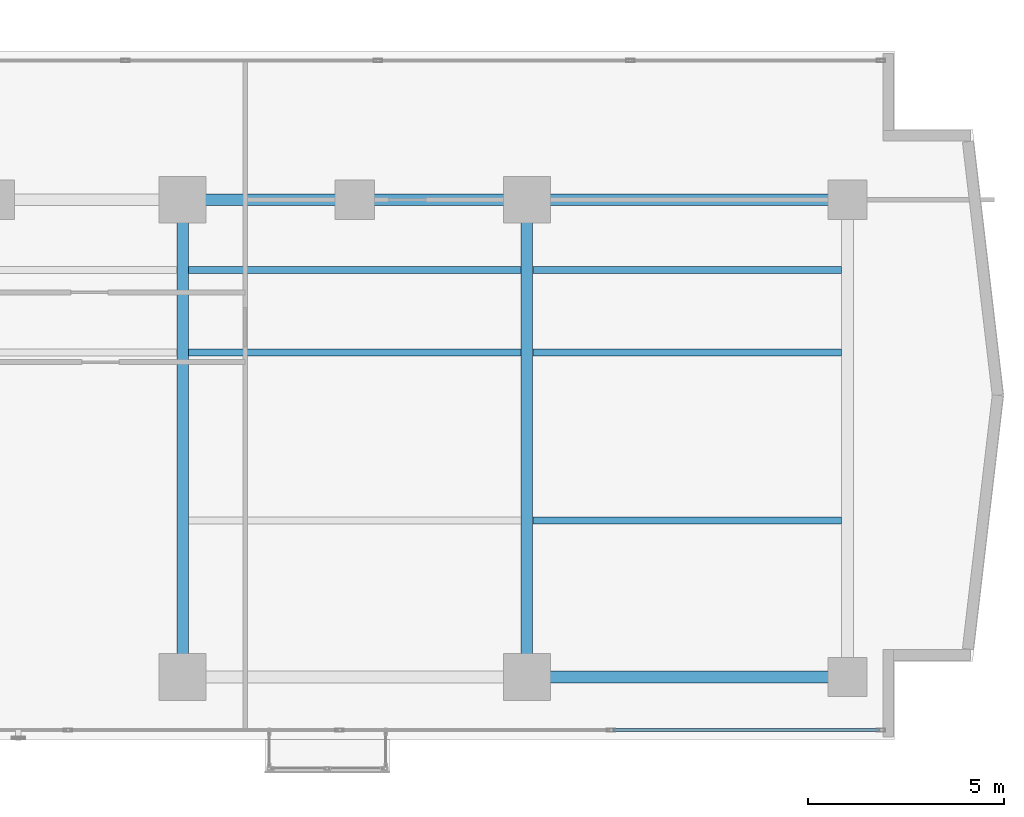
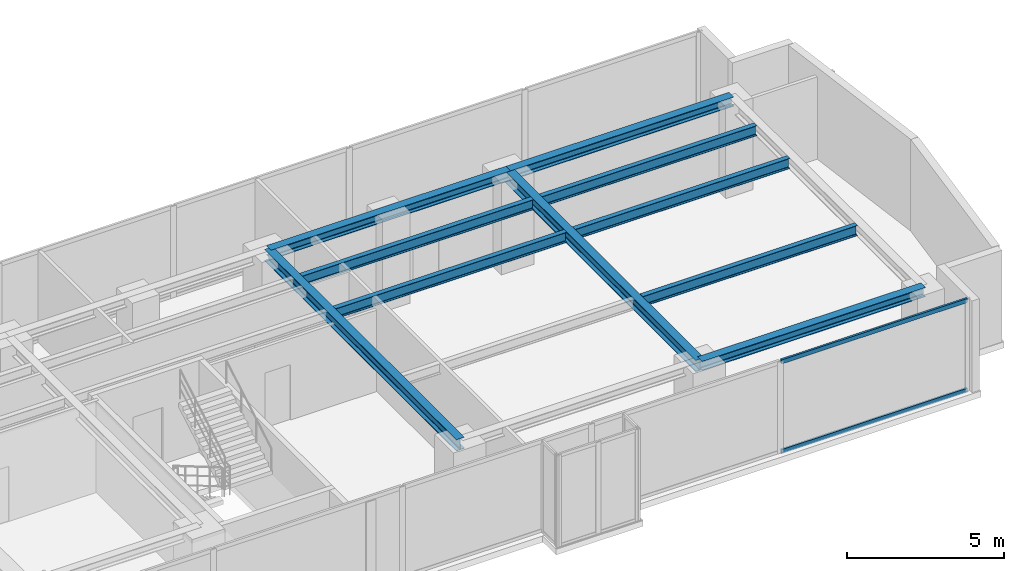
# One storey, part 11 of 26: 10 beams, 2 members, 1 element without a shape of its own.
"""IFC4 building model written with IfcOpenShell, lengths in metres."""

from ifc_helpers import new_model, si_unit, direction, frame, origin, origin_with_axes, origin_2d, place, context, subcontext, project, spatial, hollow_rectangle, i_section, extrude, source, transform, mapped, material, layer, layer_set, material_profile, profile_set, type_object, element, aggregate, save


model = new_model("IFC4")

# Units and contexts
model_context = context("Model", 3, precision=1e-05, world=origin(), true_north=direction((0.0, 1.0)))
body_context = subcontext(model_context, "Body", "Model", "MODEL_VIEW")
ifc_project = project(units=[si_unit("LENGTHUNIT", "METRE"), si_unit("AREAUNIT", "SQUARE_METRE"), si_unit("VOLUMEUNIT", "CUBIC_METRE"), si_unit("PLANEANGLEUNIT", "RADIAN"), si_unit("MASSUNIT", "GRAM", prefix="KILO")], contexts=[model_context])

# Site, building, storey
site_placement = place(None, origin())
site = spatial("IfcSite", under=ifc_project, at=site_placement, CompositionType="ELEMENT")
building_placement = place(site_placement, origin())
building = spatial("IfcBuilding", under=site, at=building_placement, Name="Kolvaren Waterfront Exchange", CompositionType="ELEMENT")
storey_placement = place(building_placement, frame((0.0, 0.0, 180.39990234375)))
storey = spatial("IfcBuildingStorey", under=building, at=storey_placement, Name="L46", CompositionType="ELEMENT", Elevation=180.39990234375)

# Beams
ifc_material_1 = material(Name="Steel S355", Category="steel")
ifc_material_profile_1 = material_profile(ifc_material_1, i_section(OverallWidth=0.300048828125, OverallDepth=0.360107421875, WebThickness=0.012451171875, FlangeThickness=0.0224609375, FilletRadius=0.027099609375, at=origin_2d()), Name="HEB360")
ifc_profile_set_1 = profile_set([ifc_material_profile_1], Name="Steel S355")
beam_type_1 = type_object("IfcBeamType", Name="STR-BM-HEB360", PredefinedType="SPANDREL", material=ifc_profile_set_1)
beam_1_placement = place(storey_placement, frame((45.60009765625, 5.199951171875, 3.380126953125), z_axis=(1.0, 0.0, 0.0), x_axis=(0.0, 1.0, 0.0)))
element("IfcBeam", 1, at=beam_1_placement, inside=storey, type_object=beam_type_1, Name="L46 east-arm spandrel S4", PredefinedType="SPANDREL", context=body_context, shape_type="SweptSolid", body=[
    extrude(i_section(OverallWidth=0.300048828125, OverallDepth=0.360107421875, WebThickness=0.012451171875, FlangeThickness=0.0224609375, FilletRadius=0.027099609375, at=origin_2d()), origin(), (0.0, 0.0, 1.0), 8.199951171875),
])
beam_2_placement = place(storey_placement, frame((36.800048828125, 17.39990234375, 3.380126953125), z_axis=(1.0, 0.0, 0.0), x_axis=(0.0, 1.0, 0.0)))
element("IfcBeam", 2, at=beam_2_placement, inside=storey, type_object=beam_type_1, Name="L46 east-arm spandrel N3", PredefinedType="SPANDREL", context=body_context, shape_type="SweptSolid", body=[
    extrude(i_section(OverallWidth=0.300048828125, OverallDepth=0.360107421875, WebThickness=0.012451171875, FlangeThickness=0.0224609375, FilletRadius=0.027099609375, at=origin_2d()), origin(), (0.0, 0.0, 1.0), 8.800048828125),
])
beam_3_placement = place(storey_placement, frame((45.60009765625, 17.39990234375, 3.380126953125), z_axis=(1.0, 0.0, 0.0), x_axis=(0.0, 1.0, 0.0)))
element("IfcBeam", 3, at=beam_3_placement, inside=storey, type_object=beam_type_1, Name="L46 east-arm spandrel N4", PredefinedType="SPANDREL", context=body_context, shape_type="SweptSolid", body=[
    extrude(i_section(OverallWidth=0.300048828125, OverallDepth=0.360107421875, WebThickness=0.012451171875, FlangeThickness=0.0224609375, FilletRadius=0.027099609375, at=origin_2d()), origin(), (0.0, 0.0, 1.0), 8.199951171875),
])
ifc_material_profile_2 = material_profile(ifc_material_1, i_section(OverallWidth=0.300048828125, OverallDepth=0.449951171875, WebThickness=0.013916015625, FlangeThickness=0.02587890625, FilletRadius=0.027099609375, at=origin_2d()), Name="HEB450")
ifc_profile_set_2 = profile_set([ifc_material_profile_2], Name="Steel S355")
beam_type_2 = type_object("IfcBeamType", Name="STR-BM-HEB450", PredefinedType="BEAM", material=ifc_profile_set_2)
for number, where, z_axis, x_axis, name in (
    (4, (36.800048828125, 5.199951171875, 3.335205078125), (0.0, 1.0, 0.0), (-1.0, 0.0, 0.0), "L46 east-arm transverse girder X36"),
    (5, (45.60009765625, 5.199951171875, 3.335205078125), (0.0, 1.0, 0.0), (-1.0, 0.0, 0.0), "L46 east-arm transverse girder X45"),
):
    element("IfcBeam", number, at=place(storey_placement, frame(where, z_axis=z_axis, x_axis=x_axis)), inside=storey, type_object=beam_type_2, Name=name, PredefinedType="BEAM", context=body_context, shape_type="SweptSolid", body=[
        extrude(i_section(OverallWidth=0.300048828125, OverallDepth=0.449951171875, WebThickness=0.013916015625, FlangeThickness=0.02587890625, FilletRadius=0.027099609375, at=origin_2d()), origin(), (0.0, 0.0, 1.0), 12.199951171875),
    ])
ifc_material_profile_3 = material_profile(ifc_material_1, i_section(OverallWidth=0.179931640625, OverallDepth=0.39990234375, WebThickness=0.008544921875, FlangeThickness=0.013427734375, FilletRadius=0.02099609375, at=origin_2d()), Name="IPE400")
ifc_profile_set_3 = profile_set([ifc_material_profile_3], Name="Steel S355")
beam_type_3 = type_object("IfcBeamType", Name="STR-BM-IPE400", PredefinedType="JOIST", material=ifc_profile_set_3)
for number, where, z_axis, x_axis, name in (
    (6, (36.951904296875, 13.5, 3.360107421875), (1.0, 0.0, 0.0), (0.0, 1.0, 0.0), "L46 east-arm composite joist 3A"),
    (7, (36.951904296875, 15.60009765625, 3.360107421875), (1.0, 0.0, 0.0), (0.0, 1.0, 0.0), "L46 east-arm composite joist 3C"),
):
    element("IfcBeam", number, at=place(storey_placement, frame(where, z_axis=z_axis, x_axis=x_axis)), inside=storey, type_object=beam_type_3, Name=name, PredefinedType="JOIST", context=body_context, shape_type="SweptSolid", body=[
        extrude(i_section(OverallWidth=0.179931640625, OverallDepth=0.39990234375, WebThickness=0.008544921875, FlangeThickness=0.013427734375, FilletRadius=0.02099609375, at=origin_2d()), origin(), (0.0, 0.0, 1.0), 8.49609375),
    ])
for number, where, z_axis, x_axis, name in (
    (8, (45.751953125, 13.5, 3.360107421875), (1.0, 0.0, 0.0), (0.0, 1.0, 0.0), "L46 east-arm composite joist 4A"),
    (9, (45.751953125, 15.60009765625, 3.360107421875), (1.0, 0.0, 0.0), (0.0, 1.0, 0.0), "L46 east-arm composite joist 4C"),
    (10, (45.751953125, 9.199951171875, 3.360107421875), (1.0, 0.0, 0.0), (0.0, 1.0, 0.0), "L46 east-arm composite joist 4B"),
):
    element("IfcBeam", number, at=place(storey_placement, frame(where, z_axis=z_axis, x_axis=x_axis)), inside=storey, type_object=beam_type_3, Name=name, PredefinedType="JOIST", context=body_context, shape_type="SweptSolid", body=[
        extrude(i_section(OverallWidth=0.179931640625, OverallDepth=0.39990234375, WebThickness=0.008544921875, FlangeThickness=0.013427734375, FilletRadius=0.02099609375, at=origin_2d()), origin(), (0.0, 0.0, 1.0), 7.89599609375),
    ])

# Curtain wall, members
ifc_material_2 = material(Name="Anodised bronze aluminium 6063-T6", Category="aluminium")
ifc_layer = layer(ifc_material_2, 0.219970703125, Name="Anodised bronze aluminium 6063-T6")
ifc_layer_set = layer_set([ifc_layer], Name="Anodised bronze aluminium 6063-T6")
curtain_wall_type = type_object("IfcCurtainWallType", Name="ARC-CW-SYS1", PredefinedType="USERDEFINED", material=ifc_layer_set)
curtain_wall_placement = place(storey_placement, origin())
curtain_wall = element("IfcCurtainWall", 11, at=curtain_wall_placement, inside=storey, type_object=curtain_wall_type, Name="L46 stick curtain wall CW1 (CW-L46-S)", ObjectType="STICK CURTAIN WALL", PredefinedType="USERDEFINED")
ifc_material_3 = material(Name="Anodised aluminium 6063-T6", Category="aluminium")
ifc_material_profile_4 = material_profile(ifc_material_3, hollow_rectangle(XDim=0.074951171875, YDim=0.159912109375, WallThickness=0.00439453125, at=origin_2d()), Name="ALU-TRN-160x75x4.5")
ifc_profile_set_4 = profile_set([ifc_material_profile_4], Name="Anodised aluminium 6063-T6")
member_type = type_object("IfcMemberType", Name="ARC-CWT-160", PredefinedType="USERDEFINED", material=ifc_profile_set_4)
shared_shape = source(origin_with_axes(), body_context, "Body", "SweptSolid", [
    extrude(hollow_rectangle(XDim=0.074951171875, YDim=0.159912109375, WallThickness=0.00439453125, at=origin_2d()), origin(), (0.0, 0.0, 1.0), 6.822998046875),
])
member_1_placement = place(storey_placement, frame((47.797119140625, 3.840087890625, 0.03759765625), z_axis=(1.0, 0.0, 0.0), x_axis=(0.0, 1.0, 0.0)))
member_1 = element("IfcMember", 12, at=member_1_placement, type_object=member_type, Name="CW1 transom 7.1", ObjectType="TRANSOM", PredefinedType="USERDEFINED", context=body_context, shape_type="MappedRepresentation", body=[
    mapped(shared_shape, transform((0.0, 0.0, 0.0), x_axis=(1.0, 0.0, 0.0), y_axis=(0.0, 1.0, 0.0), z_axis=(0.0, 0.0, 1.0), scale=1.0)),
])
member_2_placement = place(storey_placement, frame((47.797119140625, 3.840087890625, 3.522705078125), z_axis=(1.0, 0.0, 0.0), x_axis=(0.0, 1.0, 0.0)))
member_2 = element("IfcMember", 13, at=member_2_placement, type_object=member_type, Name="CW1 transom 7.2", ObjectType="TRANSOM", PredefinedType="USERDEFINED", context=body_context, shape_type="MappedRepresentation", body=[
    mapped(shared_shape, transform((0.0, 0.0, 0.0), x_axis=(1.0, 0.0, 0.0), y_axis=(0.0, 1.0, 0.0), z_axis=(0.0, 0.0, 1.0), scale=1.0)),
])
aggregate(curtain_wall, [member_1, member_2])

save(model, "model.ifc")
